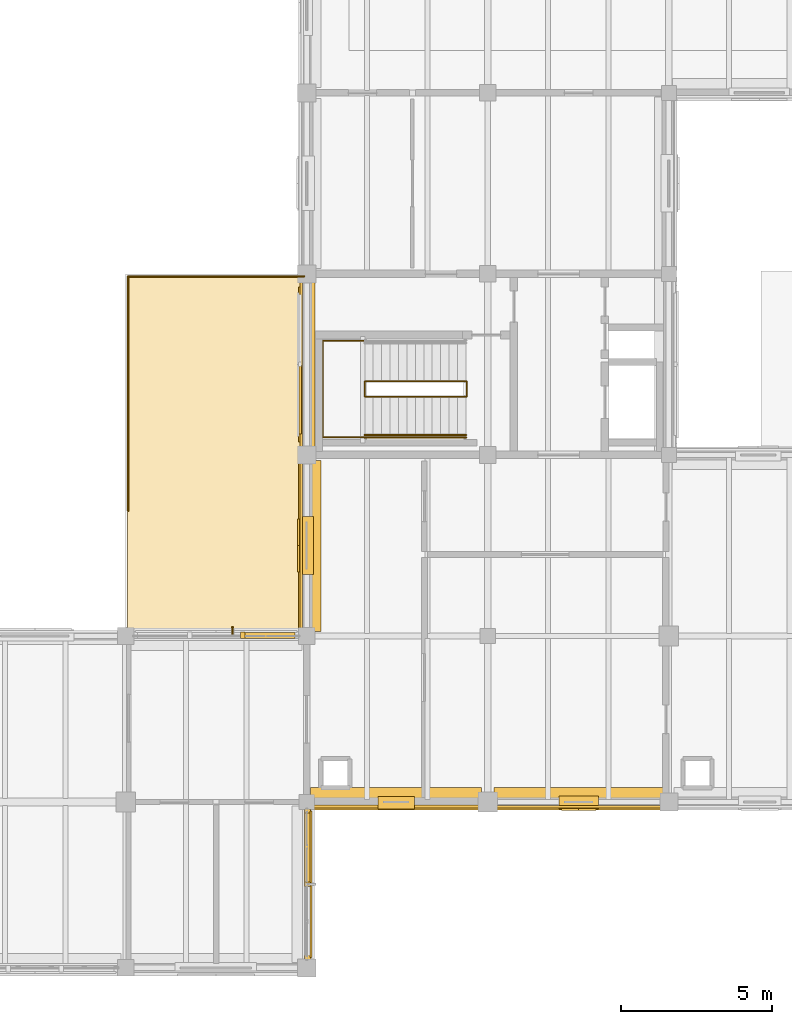
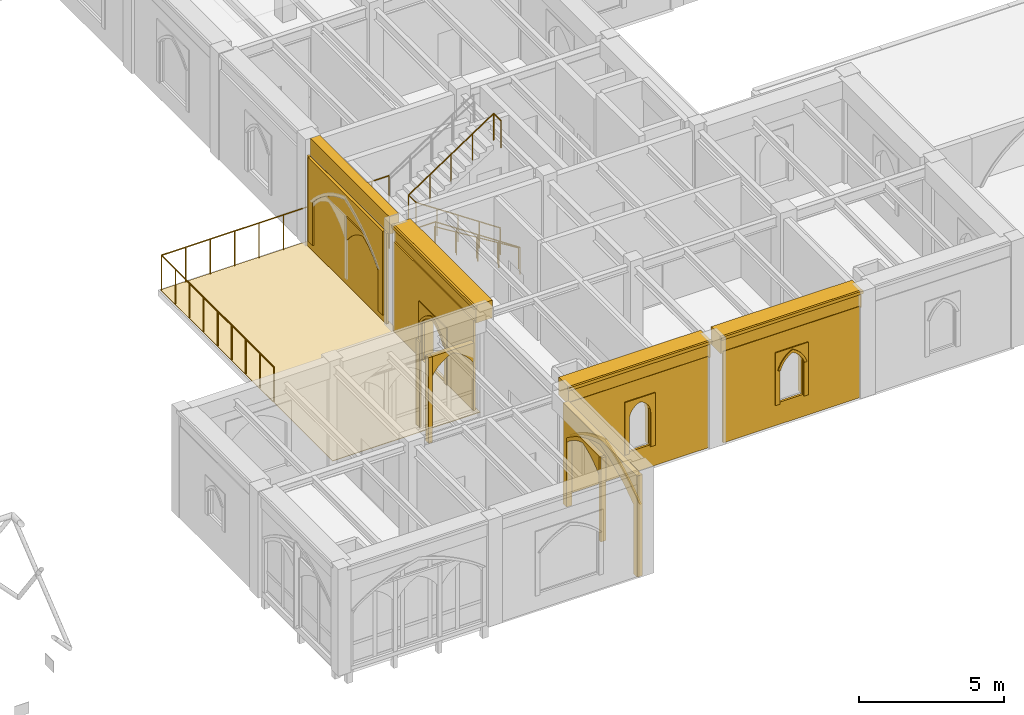
# One storey, part 111 of 127: 25 coverings, 6 railings, 1 shading device.
"""IFC4 building model written with IfcOpenShell, lengths in metres."""

from ifc_helpers import new_model, si_unit, direction, frame, origin, origin_2d, place, context, subcontext, project, spatial, polyline, rectangle, circle, outline, extrude, material, type_object, element, save


model = new_model("IFC4")

# Units and contexts
model_context = context("Model", 3, precision=1e-05, world=origin(), true_north=direction((0.0, 1.0)))
body_context = subcontext(model_context, "Body", "Model", "MODEL_VIEW")
ifc_project = project(units=[si_unit("LENGTHUNIT", "METRE"), si_unit("AREAUNIT", "SQUARE_METRE"), si_unit("VOLUMEUNIT", "CUBIC_METRE"), si_unit("PLANEANGLEUNIT", "RADIAN"), si_unit("MASSUNIT", "GRAM", prefix="KILO")], contexts=[model_context])

# Site, building, storey
site_placement = place(None, origin())
site = spatial("IfcSite", under=ifc_project, at=site_placement, CompositionType="ELEMENT")
building_placement = place(site_placement, origin())
building = spatial("IfcBuilding", under=site, at=building_placement, Name="Cumevento Cable Car Station", CompositionType="ELEMENT")
storey_placement = place(building_placement, frame((0.0, 0.0, 4.5)))
storey = spatial("IfcBuildingStorey", under=building, at=storey_placement, Name="L02", CompositionType="ELEMENT", Elevation=4.5)

# Railings
ifc_material_1 = material(Name="Painted Galvanised Architectural Steel", Category="steel")
railing_type_1 = type_object("IfcRailingType", Name="Stair Guardrail GR-S115", PredefinedType="GUARDRAIL", material=ifc_material_1)
railing_1_placement = place(storey_placement, frame((123.280029296875, 22.929931640625, 0.0)))
element("IfcRailing", 1, at=railing_1_placement, inside=storey, type_object=railing_type_1, Name="Stair Well Inner Guardrail ST-05-L02", PredefinedType="GUARDRAIL", context=body_context, shape_type="SweptSolid", body=[
    extrude(circle(Radius=0.02392578125, at=origin_2d()), frame((0.0, 0.0, 1.1259765625), z_axis=(-0.830915400975, 0.0, 0.556398774641), x_axis=(0.0, -1.0, 0.0)), (0.0, 0.0, 1.0), 4.0439453125),
    extrude(circle(Radius=0.02392578125, at=origin_2d()), frame((-3.360107421875, 0.0, 3.3759765625), z_axis=(0.0, 1.0, 0.0), x_axis=(-1.0, 0.0, 0.0)), (0.0, 0.0, 1.0), 0.510009765625),
    extrude(circle(Radius=0.02392578125, at=origin_2d()), frame((-3.360107421875, 0.510009765625, 3.3759765625), z_axis=(0.833193183746, 0.0, 0.552982023722), x_axis=(0.0, 1.0, 0.0)), (0.0, 0.0, 1.0), 4.06884765625),
    extrude(circle(Radius=0.02392578125, at=origin_2d()), frame((0.030029296875, 0.510009765625, 5.6259765625), z_axis=(0.0, -1.0, 0.0), x_axis=(1.0, 0.0, 0.0)), (0.0, 0.0, 1.0), 0.510009765625),
    extrude(circle(Radius=0.02001953125, at=origin_2d()), origin(), (0.0, 0.0, 1.0), 1.101806640625),
    extrude(circle(Radius=0.02001953125, at=origin_2d()), frame((-0.840087890625, 0.0, 0.5625)), (0.0, 0.0, 1.0), 1.101806640625),
    extrude(circle(Radius=0.02001953125, at=origin_2d()), frame((-1.68017578125, 0.0, 1.125)), (0.0, 0.0, 1.0), 1.101806640625),
    extrude(circle(Radius=0.02001953125, at=origin_2d()), frame((-2.52001953125, 0.0, 1.6875)), (0.0, 0.0, 1.0), 1.101806640625),
    extrude(circle(Radius=0.02001953125, at=origin_2d()), frame((-3.360107421875, 0.0, 2.25)), (0.0, 0.0, 1.0), 1.101806640625),
    extrude(circle(Radius=0.02001953125, at=origin_2d()), frame((-3.360107421875, 0.510009765625, 2.25)), (0.0, 0.0, 1.0), 1.101806640625),
    extrude(circle(Radius=0.02001953125, at=origin_2d()), frame((-2.5126953125, 0.510009765625, 2.8125)), (0.0, 0.0, 1.0), 1.101806640625),
    extrude(circle(Radius=0.02001953125, at=origin_2d()), frame((-1.6650390625, 0.510009765625, 3.375)), (0.0, 0.0, 1.0), 1.101806640625),
    extrude(circle(Radius=0.02001953125, at=origin_2d()), frame((-0.8173828125, 0.510009765625, 3.9375)), (0.0, 0.0, 1.0), 1.101806640625),
    extrude(circle(Radius=0.02001953125, at=origin_2d()), frame((0.030029296875, 0.510009765625, 4.5)), (0.0, 0.0, 1.0), 1.101806640625),
    extrude(circle(Radius=0.02001953125, at=origin_2d()), frame((0.030029296875, 0.0, 4.5)), (0.0, 0.0, 1.0), 1.101806640625),
])
railing_2_placement = place(storey_placement, frame((119.919921875, 21.580078125, 2.25)))
element("IfcRailing", 2, at=railing_2_placement, inside=storey, type_object=railing_type_1, Name="Stair Half-Landing Guardrail ST-05-L02", PredefinedType="GUARDRAIL", context=body_context, shape_type="SweptSolid", body=[
    extrude(circle(Radius=0.02392578125, at=origin_2d()), frame((0.0, 0.0, 1.1259765625), z_axis=(-1.0, 0.0, 0.0), x_axis=(0.0, -1.0, 0.0)), (0.0, 0.0, 1.0), 1.3798828125),
    extrude(circle(Radius=0.02392578125, at=origin_2d()), frame((-1.3798828125, 0.0, 1.1259765625), z_axis=(0.0, 1.0, 0.0), x_axis=(-1.0, 0.0, 0.0)), (0.0, 0.0, 1.0), 3.2099609375),
    extrude(circle(Radius=0.02392578125, at=origin_2d()), frame((-1.3798828125, 3.2099609375, 1.1259765625), z_axis=(1.0, 0.0, 0.0), x_axis=(0.0, 1.0, 0.0)), (0.0, 0.0, 1.0), 1.3798828125),
    extrude(circle(Radius=0.02001953125, at=origin_2d()), origin(), (0.0, 0.0, 1.0), 1.101806640625),
    extrude(circle(Radius=0.02001953125, at=origin_2d()), frame((-0.68994140625, 0.0, 0.0)), (0.0, 0.0, 1.0), 1.101806640625),
    extrude(circle(Radius=0.02001953125, at=origin_2d()), frame((-1.3798828125, 0.0, 0.0)), (0.0, 0.0, 1.0), 1.101806640625),
    extrude(circle(Radius=0.02001953125, at=origin_2d()), frame((-1.3798828125, 0.802490234375, 0.0)), (0.0, 0.0, 1.0), 1.101806640625),
    extrude(circle(Radius=0.02001953125, at=origin_2d()), frame((-1.3798828125, 1.60498046875, 0.0)), (0.0, 0.0, 1.0), 1.101806640625),
    extrude(circle(Radius=0.02001953125, at=origin_2d()), frame((-1.3798828125, 2.407470703125, 0.0)), (0.0, 0.0, 1.0), 1.101806640625),
    extrude(circle(Radius=0.02001953125, at=origin_2d()), frame((-1.3798828125, 3.2099609375, 0.0)), (0.0, 0.0, 1.0), 1.101806640625),
    extrude(circle(Radius=0.02001953125, at=origin_2d()), frame((-0.68994140625, 3.2099609375, 0.0)), (0.0, 0.0, 1.0), 1.101806640625),
    extrude(circle(Radius=0.02001953125, at=origin_2d()), frame((0.0, 3.2099609375, 0.0)), (0.0, 0.0, 1.0), 1.101806640625),
])
railing_3_placement = place(storey_placement, frame((123.280029296875, 21.580078125, 0.0)))
element("IfcRailing", 3, at=railing_3_placement, inside=storey, type_object=railing_type_1, Name="Stair Outer Guardrail ST-05-L02 F1", PredefinedType="GUARDRAIL", context=body_context, shape_type="SweptSolid", body=[
    extrude(circle(Radius=0.02392578125, at=origin_2d()), frame((0.0, 0.0, 1.1259765625), z_axis=(-0.830915400975, 0.0, 0.556398774641), x_axis=(0.0, -1.0, 0.0)), (0.0, 0.0, 1.0), 4.0439453125),
    extrude(circle(Radius=0.02001953125, at=origin_2d()), origin(), (0.0, 0.0, 1.0), 1.101806640625),
    extrude(circle(Radius=0.02001953125, at=origin_2d()), frame((-0.840087890625, 0.0, 0.5625)), (0.0, 0.0, 1.0), 1.101806640625),
    extrude(circle(Radius=0.02001953125, at=origin_2d()), frame((-1.68017578125, 0.0, 1.125)), (0.0, 0.0, 1.0), 1.101806640625),
    extrude(circle(Radius=0.02001953125, at=origin_2d()), frame((-2.52001953125, 0.0, 1.6875)), (0.0, 0.0, 1.0), 1.101806640625),
    extrude(circle(Radius=0.02001953125, at=origin_2d()), frame((-3.360107421875, 0.0, 2.25)), (0.0, 0.0, 1.0), 1.101806640625),
])
ifc_material_2 = material(Name="Brushed Stainless Steel Handrail Tube", Category="steel")
railing_type_2 = type_object("IfcRailingType", Name="Stair Handrail HR-090", PredefinedType="HANDRAIL", material=ifc_material_2)
railing_4_placement = place(storey_placement, frame((123.280029296875, 21.659912109375, 0.17626953125)))
element("IfcRailing", 4, at=railing_4_placement, inside=storey, type_object=railing_type_2, Name="Stair Pitch Handrail ST-05-L02 F1", PredefinedType="HANDRAIL", context=body_context, shape_type="SweptSolid", body=[
    extrude(circle(Radius=0.02099609375, at=origin_2d()), frame((0.0, 0.0, 0.87890625), z_axis=(-0.850623216509, 0.0, 0.525775754039), x_axis=(0.0, -1.0, 0.0)), (0.0, 0.0, 1.0), 3.9501953125),
    extrude(circle(Radius=0.01611328125, at=origin_2d()), origin(), (0.0, 0.0, 1.0), 0.85791015625),
    extrude(circle(Radius=0.01611328125, at=origin_2d()), frame((-0.840087890625, 0.0, 0.519287109375)), (0.0, 0.0, 1.0), 0.85791015625),
    extrude(circle(Radius=0.01611328125, at=origin_2d()), frame((-1.68017578125, 0.0, 1.03857421875)), (0.0, 0.0, 1.0), 0.85791015625),
    extrude(circle(Radius=0.01611328125, at=origin_2d()), frame((-2.52001953125, 0.0, 1.5576171875)), (0.0, 0.0, 1.0), 0.85791015625),
    extrude(circle(Radius=0.01611328125, at=origin_2d()), frame((-3.360107421875, 0.0, 2.076904296875)), (0.0, 0.0, 1.0), 0.85791015625),
])
ifc_material_3 = material(Name="Painted Galvanised Architectural Steel", Category="steel")
railing_type_3 = type_object("IfcRailingType", Name="Terrace Guardrail GR-T150 1500", PredefinedType="GUARDRAIL", material=ifc_material_3)
railing_5_placement = place(storey_placement, frame((112.080078125, 26.919921875, 0.0)))
element("IfcRailing", 5, at=railing_5_placement, inside=storey, type_object=railing_type_3, Name="Panoramic Terrace Guardrail GR-T150 #14", PredefinedType="GUARDRAIL", context=body_context, shape_type="SweptSolid", body=[
    extrude(circle(Radius=0.02490234375, at=origin_2d()), frame((0.0, 0.0, 1.47509765625), z_axis=(1.0, 0.0, 0.0), x_axis=(0.0, 1.0, 0.0)), (0.0, 0.0, 1.0), 5.83984375),
    extrude(circle(Radius=0.02099609375, at=origin_2d()), origin(), (0.0, 0.0, 1.0), 1.449951171875),
    extrude(circle(Radius=0.02099609375, at=origin_2d()), frame((0.973388671875, 0.0, 0.0)), (0.0, 0.0, 1.0), 1.449951171875),
    extrude(circle(Radius=0.02099609375, at=origin_2d()), frame((1.946533203125, 0.0, 0.0)), (0.0, 0.0, 1.0), 1.449951171875),
    extrude(circle(Radius=0.02099609375, at=origin_2d()), frame((2.919921875, 0.0, 0.0)), (0.0, 0.0, 1.0), 1.449951171875),
    extrude(circle(Radius=0.02099609375, at=origin_2d()), frame((3.893310546875, 0.0, 0.0)), (0.0, 0.0, 1.0), 1.449951171875),
    extrude(circle(Radius=0.02099609375, at=origin_2d()), frame((4.866455078125, 0.0, 0.0)), (0.0, 0.0, 1.0), 1.449951171875),
    extrude(circle(Radius=0.02099609375, at=origin_2d()), frame((5.83984375, 0.0, 0.0)), (0.0, 0.0, 1.0), 1.449951171875),
])
railing_6_placement = place(storey_placement, frame((112.080078125, 19.14990234375, 0.0)))
element("IfcRailing", 6, at=railing_6_placement, inside=storey, type_object=railing_type_3, Name="Panoramic Terrace Guardrail GR-T150 #15", PredefinedType="GUARDRAIL", context=body_context, shape_type="SweptSolid", body=[
    extrude(circle(Radius=0.02490234375, at=origin_2d()), frame((0.0, 0.0, 1.47509765625), z_axis=(0.0, 1.0, 0.0), x_axis=(-1.0, 0.0, 0.0)), (0.0, 0.0, 1.0), 7.77001953125),
    extrude(circle(Radius=0.02099609375, at=origin_2d()), origin(), (0.0, 0.0, 1.0), 1.449951171875),
    extrude(circle(Radius=0.02099609375, at=origin_2d()), frame((0.0, 0.97119140625, 0.0)), (0.0, 0.0, 1.0), 1.449951171875),
    extrude(circle(Radius=0.02099609375, at=origin_2d()), frame((0.0, 1.9423828125, 0.0)), (0.0, 0.0, 1.0), 1.449951171875),
    extrude(circle(Radius=0.02099609375, at=origin_2d()), frame((0.0, 2.913818359375, 0.0)), (0.0, 0.0, 1.0), 1.449951171875),
    extrude(circle(Radius=0.02099609375, at=origin_2d()), frame((0.0, 3.885009765625, 0.0)), (0.0, 0.0, 1.0), 1.449951171875),
    extrude(circle(Radius=0.02099609375, at=origin_2d()), frame((0.0, 4.856201171875, 0.0)), (0.0, 0.0, 1.0), 1.449951171875),
    extrude(circle(Radius=0.02099609375, at=origin_2d()), frame((0.0, 5.82763671875, 0.0)), (0.0, 0.0, 1.0), 1.449951171875),
    extrude(circle(Radius=0.02099609375, at=origin_2d()), frame((0.0, 6.798828125, 0.0)), (0.0, 0.0, 1.0), 1.449951171875),
    extrude(circle(Radius=0.02099609375, at=origin_2d()), frame((0.0, 7.77001953125, 0.0)), (0.0, 0.0, 1.0), 1.449951171875),
])

# Shading device
ifc_material_4 = material(Name="Anodised Bronze Aluminium AW-6063-T6", Category="aluminium")
shading_device_type = type_object("IfcShadingDeviceType", Name="Bronze Lancet Brise-Soleil BS-01", PredefinedType="JALOUSIE", material=ifc_material_4)
shading_device_placement = place(storey_placement, frame((115.544921875, 15.179931640625, 0.2099609375), z_axis=(0.0, 0.0, 1.0), x_axis=(1.0, 0.0, 0.0)))
element("IfcShadingDevice", 7, at=shading_device_placement, inside=storey, type_object=shading_device_type, Name="Bronze Lancet Solar Fin #20", PredefinedType="JALOUSIE", context=body_context, shape_type="SweptSolid", body=[
    extrude(rectangle(XDim=0.054931640625, YDim=0.239990234375, at=origin_2d()), origin(), (0.0, 0.0, 1.0), 3.59912109375),
])

# Coverings
ifc_material_5 = material(Name="Gnaisse Facoidal Stone Ashlar 85 MPa", Category="masonry")
covering_type = type_object("IfcCoveringType", Name="Gnaisse Ashlar Cladding CV-CL01", PredefinedType="CLADDING", material=ifc_material_5)
covering_1_placement = place(storey_placement, frame((120.96240234375, 9.64990234375, 3.7490234375), z_axis=(0.0, 0.0, 1.0), x_axis=(-1.0, 0.0, 0.0)))
element("IfcCovering", 8, at=covering_1_placement, inside=storey, type_object=covering_type, Name="Gothic Stone Spandrel Stringcourse sc:0438", PredefinedType="CLADDING", context=body_context, shape_type="SweptSolid", body=[
    extrude(rectangle(XDim=5.6650390625, YDim=0.659912109375, at=origin_2d()), origin(), (0.0, 0.0, 1.0), 0.7470703125),
])
covering_2_placement = place(storey_placement, frame((120.96240234375, 9.29248046875, 4.365966796875), z_axis=(0.0, 0.0, 1.0), x_axis=(-1.0, 0.0, 0.0)))
element("IfcCovering", 9, at=covering_2_placement, inside=storey, type_object=covering_type, Name="Gothic Cornice Dripstone Lip sc:0438", PredefinedType="CLADDING", context=body_context, shape_type="SweptSolid", body=[
    extrude(rectangle(XDim=5.705078125, YDim=0.114990234375, at=origin_2d()), origin(), (0.0, 0.0, 1.0), 0.1298828125),
])
covering_3_placement = place(storey_placement, frame((127.012451171875, 9.64990234375, 3.7490234375), z_axis=(0.0, 0.0, 1.0), x_axis=(-1.0, 0.0, 0.0)))
element("IfcCovering", 10, at=covering_3_placement, inside=storey, type_object=covering_type, Name="Gothic Stone Spandrel Stringcourse sc:0439", PredefinedType="CLADDING", context=body_context, shape_type="SweptSolid", body=[
    extrude(rectangle(XDim=5.614990234375, YDim=0.659912109375, at=origin_2d()), origin(), (0.0, 0.0, 1.0), 0.7470703125),
])
covering_4_placement = place(storey_placement, frame((127.012451171875, 9.29248046875, 4.365966796875), z_axis=(0.0, 0.0, 1.0), x_axis=(-1.0, 0.0, 0.0)))
element("IfcCovering", 11, at=covering_4_placement, inside=storey, type_object=covering_type, Name="Gothic Cornice Dripstone Lip sc:0439", PredefinedType="CLADDING", context=body_context, shape_type="SweptSolid", body=[
    extrude(rectangle(XDim=5.655029296875, YDim=0.114990234375, at=origin_2d()), origin(), (0.0, 0.0, 1.0), 0.1298828125),
])
covering_5_placement = place(storey_placement, frame((118.14990234375, 17.987548828125, 3.737060546875), z_axis=(0.0, 0.0, 1.0), x_axis=(0.0, 1.0, 0.0)))
element("IfcCovering", 12, at=covering_5_placement, inside=storey, type_object=covering_type, Name="Gothic Stone Spandrel Stringcourse sc:0442", PredefinedType="CLADDING", context=body_context, shape_type="SweptSolid", body=[
    extrude(rectangle(XDim=5.6650390625, YDim=0.659912109375, at=origin_2d()), origin(), (0.0, 0.0, 1.0), 0.7470703125),
])
covering_6_placement = place(storey_placement, frame((117.79248046875, 17.987548828125, 4.35400390625), z_axis=(0.0, 0.0, 1.0), x_axis=(0.0, 1.0, 0.0)))
element("IfcCovering", 13, at=covering_6_placement, inside=storey, type_object=covering_type, Name="Gothic Cornice Dripstone Lip sc:0442", PredefinedType="CLADDING", context=body_context, shape_type="SweptSolid", body=[
    extrude(rectangle(XDim=5.705078125, YDim=0.114990234375, at=origin_2d()), origin(), (0.0, 0.0, 1.0), 0.1298828125),
])
covering_7_placement = place(storey_placement, frame((118.090087890625, 24.0, 3.737060546875), z_axis=(0.0, 0.0, 1.0), x_axis=(0.0, 1.0, 0.0)))
element("IfcCovering", 14, at=covering_7_placement, inside=storey, type_object=covering_type, Name="Gothic Stone Spandrel Stringcourse sc:0445", PredefinedType="CLADDING", context=body_context, shape_type="SweptSolid", body=[
    extrude(rectangle(XDim=5.4599609375, YDim=0.3798828125, at=origin_2d()), origin(), (0.0, 0.0, 1.0), 0.7470703125),
])
covering_8_placement = place(storey_placement, frame((112.27490234375, 15.0, -0.469970703125), z_axis=(0.0, 0.0, 1.0), x_axis=(1.0, 0.0, 0.0)))
element("IfcCovering", 15, at=covering_8_placement, inside=storey, type_object=covering_type, Name="Gothic Bifora Stone Colonnette cw_ogival:0033 #2", PredefinedType="CLADDING", context=body_context, shape_type="SweptSolid", body=[
    extrude(outline(polyline([(3.530029296875, -0.02001953125), (3.679931640625, -0.02001953125), (3.679931640625, 3.5947265625), (3.530029296875, 3.5947265625), (3.530029296875, -0.02001953125)])), frame((0.0, 0.1279296875, 0.0), z_axis=(0.0, -1.0, 0.0), x_axis=(1.0, 0.0, 0.0)), (0.0, 0.0, 1.0), 0.205078125),
])
covering_9_placement = place(storey_placement, frame((115.925048828125, 15.0, 2.33349609375), z_axis=(0.0, 0.0, 1.0), x_axis=(1.0, 0.0, 0.0)))
element("IfcCovering", 16, at=covering_9_placement, inside=storey, type_object=covering_type, Name="Gothic Ogival Pointed-Arch Stone Spandrel cw_ogival:0033:sub:2", PredefinedType="CLADDING", context=body_context, shape_type="SweptSolid", body=[
    extrude(outline(polyline([(-0.02001953125, 0.0), (-0.02001953125, 0.791259765625), (1.68994140625, 0.791259765625), (1.68994140625, 0.0), (1.6298828125, 0.0), (1.5302734375, 0.1455078125), (1.41552734375, 0.279541015625), (1.287109375, 0.400390625), (1.146240234375, 0.506591796875), (0.9951171875, 0.597412109375), (0.8349609375, 0.67138671875), (0.6748046875, 0.597412109375), (0.523681640625, 0.506591796875), (0.3828125, 0.400390625), (0.25439453125, 0.279541015625), (0.1396484375, 0.1455078125), (0.0400390625, 0.0), (-0.02001953125, 0.0)])), frame((0.0, 0.1240234375, 0.0), z_axis=(0.0, -1.0, 0.0), x_axis=(1.0, 0.0, 0.0)), (0.0, 0.0, 1.0), 0.199951171875),
])
placement = place(storey_placement, frame((118.0, 9.25, -0.3701171875), z_axis=(0.0, 0.0, 1.0), x_axis=(0.0, -1.0, 0.0)))
element("IfcCovering", 17, at=placement, inside=storey, type_object=covering_type, Name="Gothic Ogival Pointed-Arch Stone Spandrel cw_ogival:0035", PredefinedType="CLADDING", context=body_context, shape_type="SweptSolid", body=[
    extrude(outline(polyline([(-0.080078125, 0.0), (-0.080078125, 4.259033203125), (5.030029296875, 4.259033203125), (5.030029296875, 0.0), (4.7900390625, 0.0), (4.7900390625, 2.91943359375), (4.529541015625, 3.11376953125), (4.259521484375, 3.29443359375), (3.980224609375, 3.46044921875), (3.692626953125, 3.611572265625), (3.3974609375, 3.747314453125), (3.095458984375, 3.8671875), (2.787841796875, 3.971435546875), (2.47509765625, 4.05908203125), (2.162109375, 3.971435546875), (1.8544921875, 3.8671875), (1.552490234375, 3.747314453125), (1.25732421875, 3.611572265625), (0.9697265625, 3.46044921875), (0.6904296875, 3.29443359375), (0.42041015625, 3.11376953125), (0.159912109375, 2.91943359375), (0.159912109375, 0.0), (-0.080078125, 0.0)])), frame((0.0, 0.139892578125, 0.0), z_axis=(0.0, -1.0, 0.0), x_axis=(1.0, 0.0, 0.0)), (0.0, 0.0, 1.0), 0.219970703125),
])
covering_11_placement = place(storey_placement, frame((118.0, 9.25, 2.54931640625), z_axis=(0.0, 0.0, 1.0), x_axis=(0.0, -1.0, 0.0)))
element("IfcCovering", 18, at=covering_11_placement, inside=storey, type_object=covering_type, Name="Gothic Pointed Archivolt Hood Moulding cw_ogival:0035", PredefinedType="CLADDING", context=body_context, shape_type="SweptSolid", body=[
    extrude(outline(polyline([(0.159912109375, 0.0), (0.42041015625, 0.1943359375), (0.6904296875, 0.375), (0.9697265625, 0.541015625), (1.25732421875, 0.692138671875), (1.552490234375, 0.827880859375), (1.8544921875, 0.94775390625), (2.162109375, 1.052001953125), (2.47509765625, 1.1396484375), (2.787841796875, 1.052001953125), (3.095458984375, 0.94775390625), (3.3974609375, 0.827880859375), (3.692626953125, 0.692138671875), (3.980224609375, 0.541015625), (4.259521484375, 0.375), (4.529541015625, 0.1943359375), (4.7900390625, 0.0), (4.89990234375, 0.0), (4.63134765625, 0.217041015625), (4.35107421875, 0.4189453125), (4.06005859375, 0.60498046875), (3.759033203125, 0.7744140625), (3.448974609375, 0.9267578125), (3.130859375, 1.0615234375), (2.805908203125, 1.178466796875), (2.47509765625, 1.277099609375), (2.14404296875, 1.178466796875), (1.819091796875, 1.0615234375), (1.5009765625, 0.9267578125), (1.19091796875, 0.7744140625), (0.889892578125, 0.60498046875), (0.598876953125, 0.4189453125), (0.318603515625, 0.217041015625), (0.050048828125, 0.0), (0.159912109375, 0.0)])), frame((0.0, 0.181884765625, 0.0), z_axis=(0.0, -1.0, 0.0), x_axis=(1.0, 0.0, 0.0)), (0.0, 0.0, 1.0), 0.06689453125),
])
element("IfcCovering", 19, at=placement, inside=storey, type_object=covering_type, Name="Gothic Bifora Stone Colonnette cw_ogival:0035 #1", PredefinedType="CLADDING", context=body_context, shape_type="SweptSolid", body=[
    extrude(outline(polyline([(2.39990234375, -0.02001953125), (2.550048828125, -0.02001953125), (2.550048828125, 3.511962890625), (2.39990234375, 3.511962890625), (2.39990234375, -0.02001953125)])), frame((0.0, 0.1279296875, 0.0), z_axis=(0.0, -1.0, 0.0), x_axis=(1.0, 0.0, 0.0)), (0.0, 0.0, 1.0), 0.205078125),
])
covering_13_placement = place(storey_placement, frame((118.0, 9.1201171875, 2.369384765625), z_axis=(0.0, 0.0, 1.0), x_axis=(0.0, -1.0, 0.0)))
element("IfcCovering", 20, at=covering_13_placement, inside=storey, type_object=covering_type, Name="Gothic Ogival Pointed-Arch Stone Spandrel cw_ogival:0035:sub:0", PredefinedType="CLADDING", context=body_context, shape_type="SweptSolid", body=[
    extrude(outline(polyline([(-0.02001953125, 0.0), (-0.02001953125, 0.772705078125), (2.320068359375, 0.772705078125), (2.320068359375, 0.0), (2.260009765625, 0.0), (2.099365234375, 0.145263671875), (1.92724609375, 0.277099609375), (1.7451171875, 0.39453125), (1.553955078125, 0.49658203125), (1.355224609375, 0.582763671875), (1.14990234375, 0.652587890625), (0.94482421875, 0.582763671875), (0.74609375, 0.49658203125), (0.554931640625, 0.39453125), (0.372802734375, 0.277099609375), (0.20068359375, 0.145263671875), (0.0400390625, 0.0), (-0.02001953125, 0.0)])), frame((0.0, 0.1240234375, 0.0), z_axis=(0.0, -1.0, 0.0), x_axis=(1.0, 0.0, 0.0)), (0.0, 0.0, 1.0), 0.199951171875),
])
covering_14_placement = place(storey_placement, frame((123.675048828125, 9.5, 0.0), z_axis=(0.0, 0.0, 1.0), x_axis=(-1.0, 0.0, 0.0)))
element("IfcCovering", 21, at=covering_14_placement, inside=storey, type_object=covering_type, Name="Exterior Gnaisse Stone Wall Ashlar #202", PredefinedType="CLADDING", context=body_context, shape_type="SweptSolid", body=[
    extrude(outline(polyline([(-0.0400390625, -0.02001953125), (5.465087890625, -0.02001953125), (5.465087890625, 3.8291015625), (-0.0400390625, 3.8291015625), (-0.0400390625, -0.02001953125)]), holes=[polyline([(2.297607421875, 0.909912109375), (3.12744140625, 0.909912109375), (3.12744140625, 2.840087890625), (2.297607421875, 2.840087890625), (2.297607421875, 0.909912109375)])]), frame((0.0, 0.1923828125, 0.0), z_axis=(0.0, -1.0, 0.0), x_axis=(1.0, 0.0, 0.0)), (0.0, 0.0, 1.0), 0.0849609375),
])
covering_15_placement = place(storey_placement, frame((121.527587890625, 9.5, 0.85009765625), z_axis=(0.0, 0.0, 1.0), x_axis=(-1.0, 0.0, 0.0)))
element("IfcCovering", 22, at=covering_15_placement, inside=storey, type_object=covering_type, Name="Gothic Ogival Pointed-Arch Stone Spandrel op_ogival:0202:1", PredefinedType="CLADDING", context=body_context, shape_type="SweptSolid", body=[
    extrude(outline(polyline([(-0.0400390625, 0.0), (-0.0400390625, 2.219970703125), (1.169921875, 2.219970703125), (1.169921875, 0.0), (0.989990234375, 0.0), (0.989990234375, 1.4541015625), (0.97998046875, 1.56396484375), (0.95068359375, 1.67041015625), (0.90283203125, 1.77001953125), (0.838134765625, 1.859375), (0.75830078125, 1.935302734375), (0.666259765625, 1.99658203125), (0.56494140625, 2.039794921875), (0.463623046875, 1.99658203125), (0.37158203125, 1.935302734375), (0.291748046875, 1.859375), (0.22705078125, 1.77001953125), (0.17919921875, 1.67041015625), (0.14990234375, 1.56396484375), (0.139892578125, 1.4541015625), (0.139892578125, 0.0), (-0.0400390625, 0.0)])), frame((0.0, 0.23046875, 0.0), z_axis=(0.0, -1.0, 0.0), x_axis=(1.0, 0.0, 0.0)), (0.0, 0.0, 1.0), 0.4150390625),
])
covering_16_placement = place(storey_placement, frame((129.699951171875, 9.5, 0.0), z_axis=(0.0, 0.0, 1.0), x_axis=(-1.0, 0.0, 0.0)))
element("IfcCovering", 23, at=covering_16_placement, inside=storey, type_object=covering_type, Name="Exterior Gnaisse Stone Wall Ashlar #203", PredefinedType="CLADDING", context=body_context, shape_type="SweptSolid", body=[
    extrude(outline(polyline([(-0.0400390625, -0.02001953125), (5.4150390625, -0.02001953125), (5.4150390625, 3.8291015625), (-0.0400390625, 3.8291015625), (-0.0400390625, -0.02001953125)]), holes=[polyline([(2.222412109375, 0.909912109375), (3.152587890625, 0.909912109375), (3.152587890625, 2.840087890625), (2.222412109375, 2.840087890625), (2.222412109375, 0.909912109375)])]), frame((0.0, 0.199951171875, 0.0), z_axis=(0.0, -1.0, 0.0), x_axis=(1.0, 0.0, 0.0)), (0.0, 0.0, 1.0), 0.0849609375),
])
covering_17_placement = place(storey_placement, frame((127.62744140625, 9.5, 0.85009765625), z_axis=(0.0, 0.0, 1.0), x_axis=(-1.0, 0.0, 0.0)))
element("IfcCovering", 24, at=covering_17_placement, inside=storey, type_object=covering_type, Name="Gothic Ogival Pointed-Arch Stone Spandrel op_ogival:0203:1", PredefinedType="CLADDING", context=body_context, shape_type="SweptSolid", body=[
    extrude(outline(polyline([(-0.0400390625, 0.0), (-0.0400390625, 2.219970703125), (1.27001953125, 2.219970703125), (1.27001953125, 0.0), (1.090087890625, 0.0), (1.090087890625, 1.4541015625), (1.053955078125, 1.55859375), (1.006103515625, 1.65869140625), (0.947021484375, 1.752197265625), (0.877197265625, 1.83837890625), (0.7978515625, 1.915771484375), (0.7099609375, 1.983154296875), (0.614990234375, 2.039794921875), (0.52001953125, 1.983154296875), (0.43212890625, 1.915771484375), (0.352783203125, 1.83837890625), (0.282958984375, 1.752197265625), (0.223876953125, 1.65869140625), (0.176025390625, 1.55859375), (0.139892578125, 1.4541015625), (0.139892578125, 0.0), (-0.0400390625, 0.0)])), frame((0.0, 0.238037109375, 0.0), z_axis=(0.0, -1.0, 0.0), x_axis=(1.0, 0.0, 0.0)), (0.0, 0.0, 1.0), 0.429931640625),
])
covering_18_placement = place(storey_placement, frame((127.62744140625, 9.5, 2.303955078125), z_axis=(0.0, 0.0, 1.0), x_axis=(-1.0, 0.0, 0.0)))
element("IfcCovering", 25, at=covering_18_placement, inside=storey, type_object=covering_type, Name="Gothic Pointed Archivolt Hood Moulding op_ogival:0203:1", PredefinedType="CLADDING", context=body_context, shape_type="SweptSolid", body=[
    extrude(outline(polyline([(0.139892578125, 0.0), (0.176025390625, 0.104736328125), (0.223876953125, 0.20458984375), (0.282958984375, 0.29833984375), (0.352783203125, 0.38427734375), (0.43212890625, 0.461669921875), (0.52001953125, 0.529052734375), (0.614990234375, 0.5859375), (0.7099609375, 0.529052734375), (0.7978515625, 0.461669921875), (0.877197265625, 0.38427734375), (0.947021484375, 0.29833984375), (1.006103515625, 0.20458984375), (1.053955078125, 0.104736328125), (1.090087890625, 0.0), (1.18896484375, 0.0), (1.145751953125, 0.126953125), (1.087890625, 0.247802734375), (1.016357421875, 0.361083984375), (0.93212890625, 0.46533203125), (0.836181640625, 0.55908203125), (0.72998046875, 0.640869140625), (0.614990234375, 0.709716796875), (0.5, 0.640869140625), (0.393798828125, 0.55908203125), (0.2978515625, 0.46533203125), (0.213623046875, 0.361083984375), (0.14208984375, 0.247802734375), (0.084228515625, 0.126953125), (0.041015625, 0.0), (0.139892578125, 0.0)])), frame((0.0, 0.280029296875, 0.0), z_axis=(0.0, -1.0, 0.0), x_axis=(1.0, 0.0, 0.0)), (0.0, 0.0, 1.0), 0.06689453125),
])
covering_19_placement = place(storey_placement, frame((118.0, 15.27490234375, 0.0), z_axis=(0.0, 0.0, 1.0), x_axis=(0.0, 1.0, 0.0)))
element("IfcCovering", 26, at=covering_19_placement, inside=storey, type_object=covering_type, Name="Exterior Gnaisse Stone Wall Ashlar #207", PredefinedType="CLADDING", context=body_context, shape_type="SweptSolid", body=[
    extrude(outline(polyline([(-0.0400390625, -0.02001953125), (5.465087890625, -0.02001953125), (5.465087890625, 3.81689453125), (-0.0400390625, 3.81689453125), (-0.0400390625, -0.02001953125)]), holes=[polyline([(1.955078125, 0.02001953125), (3.4951171875, 0.02001953125), (3.4951171875, 2.169921875), (1.955078125, 2.169921875), (1.955078125, 0.02001953125)])]), frame((0.0, 0.22998046875, 0.0), z_axis=(0.0, -1.0, 0.0), x_axis=(1.0, 0.0, 0.0)), (0.0, 0.0, 1.0), 0.0849609375),
])
covering_20_placement = place(storey_placement, frame((118.0, 17.080078125, -0.050048828125), z_axis=(0.0, 0.0, 1.0), x_axis=(0.0, 1.0, 0.0)))
element("IfcCovering", 27, at=covering_20_placement, inside=storey, type_object=covering_type, Name="Gothic Ogival Pointed-Arch Stone Spandrel op_ogival:0207:1", PredefinedType="CLADDING", context=body_context, shape_type="SweptSolid", body=[
    extrude(outline(polyline([(-0.0400390625, 0.0), (-0.0400390625, 2.449951171875), (1.8798828125, 2.449951171875), (1.8798828125, 0.0), (1.699951171875, 0.0), (1.699951171875, 1.61962890625), (1.616455078125, 1.7412109375), (1.522216796875, 1.854736328125), (1.418212890625, 1.959228515625), (1.3046875, 2.0537109375), (1.183349609375, 2.137451171875), (1.0546875, 2.209716796875), (0.919921875, 2.27001953125), (0.785400390625, 2.209716796875), (0.65673828125, 2.137451171875), (0.535400390625, 2.0537109375), (0.421875, 1.959228515625), (0.31787109375, 1.854736328125), (0.2236328125, 1.7412109375), (0.139892578125, 1.61962890625), (0.139892578125, 0.0), (-0.0400390625, 0.0)])), frame((0.0, 0.26806640625, 0.0), z_axis=(0.0, -1.0, 0.0), x_axis=(1.0, 0.0, 0.0)), (0.0, 0.0, 1.0), 0.489990234375),
])
covering_21_placement = place(storey_placement, frame((118.0, 17.080078125, 1.569580078125), z_axis=(0.0, 0.0, 1.0), x_axis=(0.0, 1.0, 0.0)))
element("IfcCovering", 28, at=covering_21_placement, inside=storey, type_object=covering_type, Name="Gothic Pointed Archivolt Hood Moulding op_ogival:0207:1", PredefinedType="CLADDING", context=body_context, shape_type="SweptSolid", body=[
    extrude(outline(polyline([(0.139892578125, 0.0), (0.2236328125, 0.12158203125), (0.31787109375, 0.235107421875), (0.421875, 0.339599609375), (0.535400390625, 0.43408203125), (0.65673828125, 0.517822265625), (0.785400390625, 0.590087890625), (0.919921875, 0.650390625), (1.0546875, 0.590087890625), (1.183349609375, 0.517822265625), (1.3046875, 0.43408203125), (1.418212890625, 0.339599609375), (1.522216796875, 0.235107421875), (1.616455078125, 0.12158203125), (1.699951171875, 0.0), (1.799072265625, 0.0), (1.7080078125, 0.14404296875), (1.603759765625, 0.27880859375), (1.487060546875, 0.40283203125), (1.359130859375, 0.515625), (1.22119140625, 0.615478515625), (1.074462890625, 0.701904296875), (0.919921875, 0.774169921875), (0.765625, 0.701904296875), (0.618896484375, 0.615478515625), (0.48095703125, 0.515625), (0.35302734375, 0.40283203125), (0.236328125, 0.27880859375), (0.132080078125, 0.14404296875), (0.041015625, 0.0), (0.139892578125, 0.0)])), frame((0.0, 0.31005859375, 0.0), z_axis=(0.0, -1.0, 0.0), x_axis=(1.0, 0.0, 0.0)), (0.0, 0.0, 1.0), 0.06689453125),
])
covering_22_placement = place(storey_placement, frame((118.0, 21.300048828125, 0.0), z_axis=(0.0, 0.0, 1.0), x_axis=(0.0, 1.0, 0.0)))
element("IfcCovering", 29, at=covering_22_placement, inside=storey, type_object=covering_type, Name="Exterior Gnaisse Stone Wall Ashlar #209", PredefinedType="CLADDING", context=body_context, shape_type="SweptSolid", body=[
    extrude(outline(polyline([(-0.0400390625, -0.02001953125), (5.43994140625, -0.02001953125), (5.43994140625, 3.81689453125), (-0.0400390625, 3.81689453125), (-0.0400390625, -0.02001953125)])), frame((0.0, 0.222412109375, 0.0), z_axis=(0.0, -1.0, 0.0), x_axis=(1.0, 0.0, 0.0)), (0.0, 0.0, 1.0), 0.0849609375),
])
covering_23_placement = place(storey_placement, frame((118.0, 21.47998046875, 0.300048828125), z_axis=(0.0, 0.0, 1.0), x_axis=(0.0, 1.0, 0.0)))
element("IfcCovering", 30, at=covering_23_placement, inside=storey, type_object=covering_type, Name="Gothic Ogival Pointed-Arch Stone Spandrel blind_ogival:0209", PredefinedType="CLADDING", context=body_context, shape_type="SweptSolid", body=[
    extrude(outline(polyline([(-0.050048828125, 0.0), (-0.050048828125, 3.537109375), (5.090087890625, 3.537109375), (5.090087890625, 0.0), (4.780029296875, 0.0), (4.780029296875, 1.826416015625), (4.510986328125, 2.110595703125), (4.22119140625, 2.373291015625), (3.911865234375, 2.61328125), (3.585205078125, 2.82861328125), (3.242919921875, 3.018310546875), (2.88720703125, 3.181396484375), (2.52001953125, 3.31689453125), (2.15283203125, 3.181396484375), (1.797119140625, 3.018310546875), (1.454833984375, 2.82861328125), (1.128173828125, 2.61328125), (0.81884765625, 2.373291015625), (0.529052734375, 2.110595703125), (0.260009765625, 1.826416015625), (0.260009765625, 0.0), (-0.050048828125, 0.0)])), frame((0.0, 0.277587890625, 0.0), z_axis=(0.0, -1.0, 0.0), x_axis=(1.0, 0.0, 0.0)), (0.0, 0.0, 1.0), 0.110107421875),
])
covering_24_placement = place(storey_placement, frame((118.0, 21.7099609375, 1.9462890625), z_axis=(0.0, 0.0, 1.0), x_axis=(0.0, 1.0, 0.0)))
element("IfcCovering", 31, at=covering_24_placement, inside=storey, type_object=covering_type, Name="Gothic Ogival Pointed-Arch Stone Spandrel blind_ogival:0209:sub:0", PredefinedType="CLADDING", context=body_context, shape_type="SweptSolid", body=[
    extrude(outline(polyline([(-0.02001953125, 0.0), (-0.02001953125, 0.955078125), (2.264892578125, 0.955078125), (2.264892578125, 0.0), (2.205078125, 0.0), (2.06298828125, 0.182373046875), (1.9033203125, 0.349609375), (1.7275390625, 0.5), (1.537353515625, 0.6318359375), (1.335205078125, 0.743896484375), (1.12255859375, 0.835205078125), (0.909912109375, 0.743896484375), (0.707763671875, 0.6318359375), (0.517578125, 0.5), (0.341796875, 0.349609375), (0.18212890625, 0.182373046875), (0.0400390625, 0.0), (-0.02001953125, 0.0)])), frame((0.0, 0.261474609375, 0.0), z_axis=(0.0, -1.0, 0.0), x_axis=(1.0, 0.0, 0.0)), (0.0, 0.0, 1.0), 0.090087890625),
])
covering_25_placement = place(storey_placement, frame((0.0, 0.0, -0.0048828125)))
element("IfcCovering", 32, at=covering_25_placement, inside=storey, type_object=covering_type, Name="Gnaisse Stone Terrace Parterre Paving #5.1", PredefinedType="CLADDING", context=body_context, shape_type="SweptSolid", body=[
    extrude(outline(polyline([(112.06005859375, 26.93994140625), (117.93994140625, 26.93994140625), (117.93994140625, 15.06005859375), (112.06005859375, 15.06005859375), (112.06005859375, 26.93994140625)])), origin(), (0.0, 0.0, 1.0), 0.02294921875),
])

save(model, "model.ifc")
